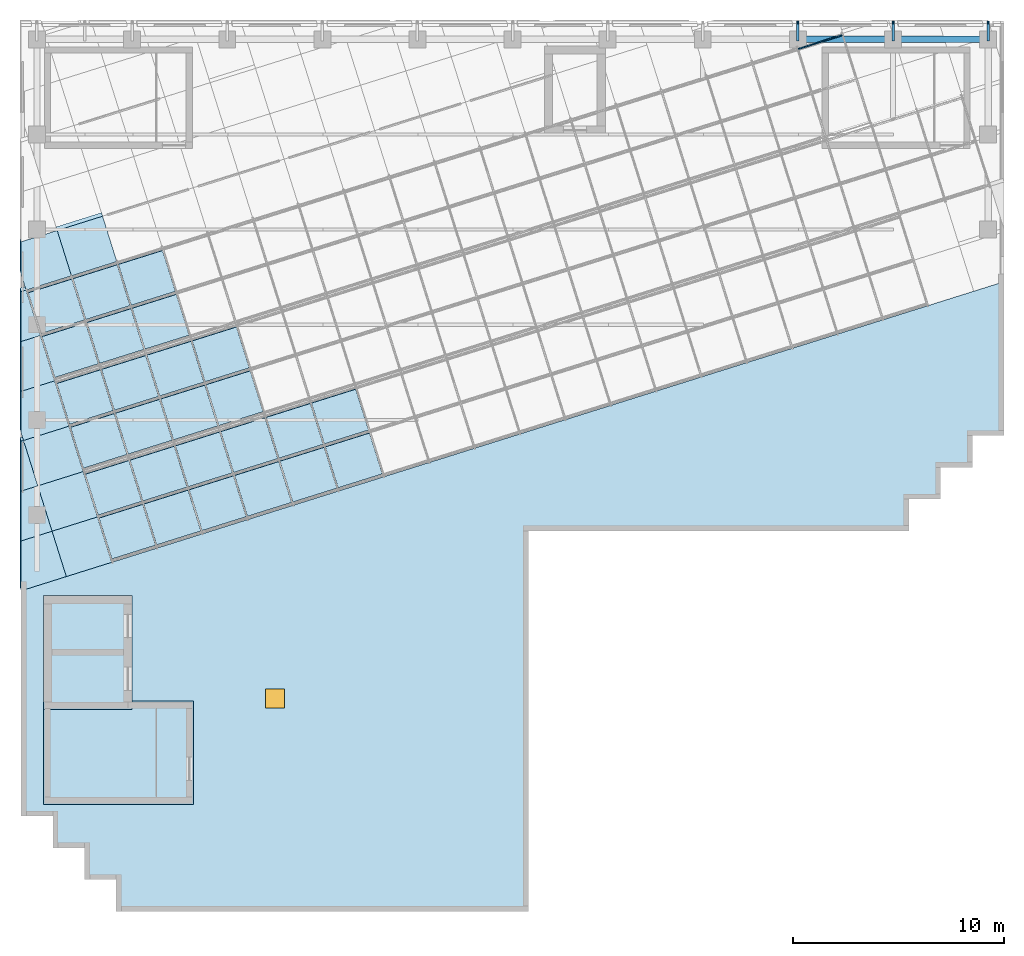
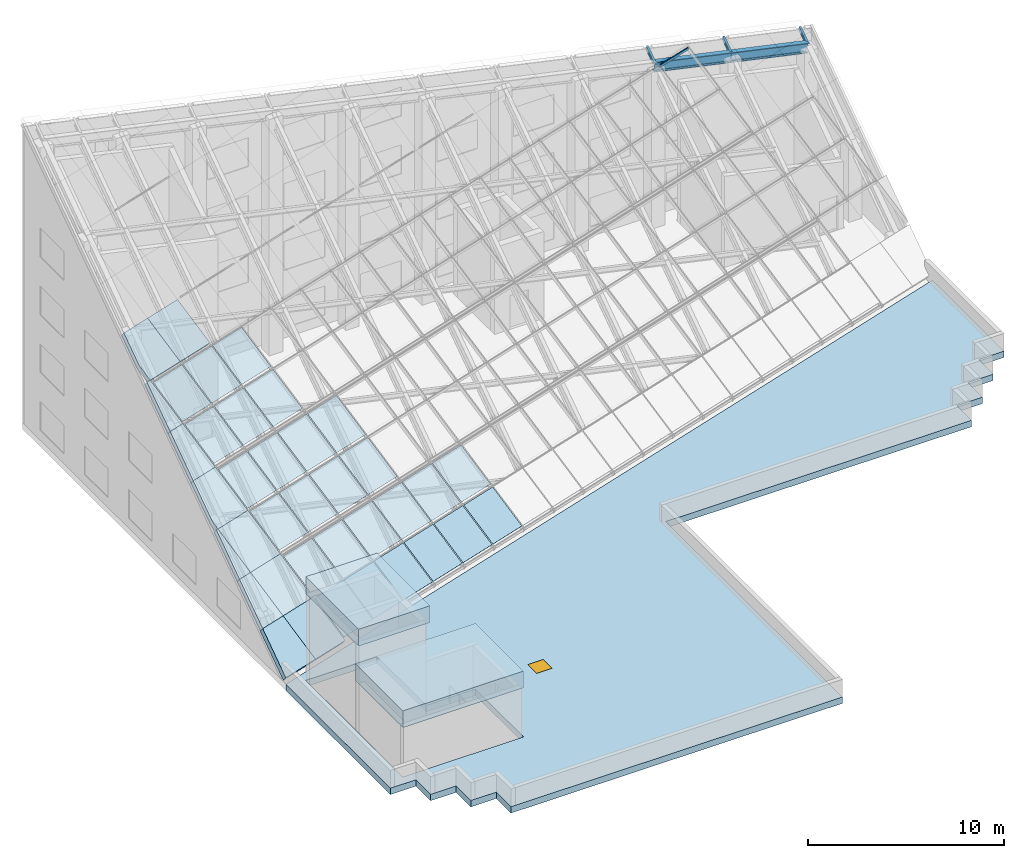
# One storey, part 6 of 14: 26 plates, 14 slabs, 6 members, 1 window, 1 opening, 3 elements without a shape of their own.
"""IFC4 building model written with IfcOpenShell, lengths in metres."""

import ifcopenshell
import ifcopenshell.guid

model = None  # the IFC model being written
_history = None  # IfcOwnerHistory: only IFC2X3 demands one
_inside = {}  # id of a spatial element -> (the spatial element, [elements in it])
_under = {}  # id of a project, library or spatial element -> (it, [spatial elements below it])
_declared = {}  # id of a project -> (the project, [libraries it declares])
_typed = {}  # id of a type object -> (the type object, [elements of that type])
_made_of = {}  # id of a material, layer set ... -> (it, [elements and type objects made of it])


def new_model(schema):
    """Start an empty IFC model of exactly this schema.

    Asked for "IFC4X3", IfcOpenShell would pick the latest addendum, in which some entities
    have other attributes; the version numbers below select the first issue.
    IFC2X3 requires an IfcOwnerHistory on every rooted entity: one is made here for all.
    """
    global model, _history
    if schema == "IFC4X3":
        model = ifcopenshell.file(schema_version=(4, 3, 0, 0))
    else:
        model = ifcopenshell.file(schema=schema)
    _inside.clear()
    _under.clear()
    _declared.clear()
    _typed.clear()
    _made_of.clear()
    _history = None
    if model.schema == "IFC2X3":
        org = make("IfcOrganization", Name="unknown")
        user = make(
            "IfcPersonAndOrganization",
            ThePerson=make("IfcPerson", FamilyName="unknown"),
            TheOrganization=org,
        )
        app = make(
            "IfcApplication",
            ApplicationDeveloper=org,
            Version="unknown",
            ApplicationFullName="unknown",
            ApplicationIdentifier="unknown",
        )
        _history = make(
            "IfcOwnerHistory",
            OwningUser=user,
            OwningApplication=app,
            ChangeAction="ADDED",
            CreationDate=0,
        )
    return model


def make(cls, **values):
    """One entity of the class cls with the attributes given. An attribute that is None is left unset."""
    return model.create_entity(
        cls, **{name: value for name, value in values.items() if value is not None}
    )


def rooted(cls, **values):
    """An entity with a GlobalId (a new one), such as an element, a storey or a relation."""
    return make(cls, GlobalId=ifcopenshell.guid.new(), OwnerHistory=_history, **values)


def si_unit(unit_type, name, prefix=None):
    """IfcSIUnit, for example si_unit("LENGTHUNIT", "METRE", prefix="MILLI")."""
    return make("IfcSIUnit", UnitType=unit_type, Prefix=prefix, Name=name)


def assignment(units):
    """IfcUnitAssignment: the units of a project."""
    return None if units is None else make("IfcUnitAssignment", Units=units)


def point(xyz):
    """IfcCartesianPoint."""
    return None if xyz is None else make("IfcCartesianPoint", Coordinates=xyz)


def direction(xyz):
    """IfcDirection."""
    return None if xyz is None else make("IfcDirection", DirectionRatios=xyz)


def frame(location, z_axis=None, x_axis=None):
    """IfcAxis2Placement3D, a coordinate frame: its origin and axes. An axis left out is left unset."""
    return make(
        "IfcAxis2Placement3D",
        Location=point(location),
        Axis=direction(z_axis),
        RefDirection=direction(x_axis),
    )


def frame_2d(location, x_axis=None):
    """IfcAxis2Placement2D, a coordinate frame in the plane: its origin and x axis."""
    return make(
        "IfcAxis2Placement2D", Location=point(location), RefDirection=direction(x_axis)
    )


def origin():
    """The frame at (0, 0, 0) with its axes left unset."""
    return frame((0.0, 0.0, 0.0))


def origin_2d():
    """The frame at (0, 0) in the plane with its x axis left unset."""
    return frame_2d((0.0, 0.0))


def place(relative_to, where):
    """IfcLocalPlacement: puts the frame where relative to a parent placement (None: the world)."""
    return make(
        "IfcLocalPlacement", PlacementRelTo=relative_to, RelativePlacement=where
    )


def context(
    kind, dimensions, precision=None, world=None, true_north=None, identifier=None
):
    """IfcGeometricRepresentationContext, for example the 3D "Model" context."""
    return make(
        "IfcGeometricRepresentationContext",
        ContextIdentifier=identifier,
        ContextType=kind,
        CoordinateSpaceDimension=dimensions,
        Precision=precision,
        WorldCoordinateSystem=world,
        TrueNorth=true_north,
    )


def subcontext(parent, identifier, kind, view, scale=None):
    """IfcGeometricRepresentationSubContext, for example "Body" below "Model"."""
    return make(
        "IfcGeometricRepresentationSubContext",
        ContextIdentifier=identifier,
        ContextType=kind,
        ParentContext=parent,
        TargetScale=scale,
        TargetView=view,
    )


def project(units=None, contexts=None):
    """IfcProject with its units and contexts."""
    return rooted(
        "IfcProject",
        Name="project",
        RepresentationContexts=contexts,
        UnitsInContext=assignment(units),
    )


def spatial(cls, under=None, at=None, **own):
    """A site, building, storey or space (cls), placed at a placement, below another one or the project."""
    s = rooted(cls, ObjectPlacement=at, **own)
    if under is not None:
        _under.setdefault(under.id(), (under, []))[1].append(s)
    return s


def polyline(points):
    """IfcPolyline through the points."""
    return make("IfcPolyline", Points=[point(p) for p in points])


def profile(cls, at=None, kind="AREA", **sizes):
    """A parametric profile (cls). Its sizes go by their IFC names, for example OverallWidth=200.0."""
    return make(cls, ProfileType=kind, Position=at, **sizes)


def rectangle(**sizes):
    """IfcRectangleProfileDef."""
    return profile("IfcRectangleProfileDef", **sizes)


def i_section(**sizes):
    """IfcIShapeProfileDef."""
    return profile("IfcIShapeProfileDef", **sizes)


def outline(outer, holes=None, kind="AREA"):
    """IfcArbitraryClosedProfileDef: a profile drawn as a closed curve; with holes, ...WithVoids."""
    if holes is None:
        return make("IfcArbitraryClosedProfileDef", ProfileType=kind, OuterCurve=outer)
    return make(
        "IfcArbitraryProfileDefWithVoids",
        ProfileType=kind,
        OuterCurve=outer,
        InnerCurves=holes,
    )


def extrude(swept, where, along, depth):
    """IfcExtrudedAreaSolid: the profile swept, set in the frame where, extruded along a direction by depth."""
    return make(
        "IfcExtrudedAreaSolid",
        SweptArea=swept,
        Position=where,
        ExtrudedDirection=direction(along),
        Depth=depth,
    )


def shape(context_of_items, identifier, shape_type, items):
    """IfcShapeRepresentation: the items that make up one representation, for example the "Body"."""
    return make(
        "IfcShapeRepresentation",
        ContextOfItems=context_of_items,
        RepresentationIdentifier=identifier,
        RepresentationType=shape_type,
        Items=items,
    )


def material(Name=None, Category=None):
    """IfcMaterial."""
    return make("IfcMaterial", Name=Name, Category=Category)


def layer(
    of_material, thickness, ventilated=None, Name=None, Category=None, Priority=None
):
    """IfcMaterialLayer: one layer of a wall or slab, of a material (None: an air gap)."""
    return make(
        "IfcMaterialLayer",
        Material=of_material,
        LayerThickness=thickness,
        IsVentilated=ventilated,
        Name=Name,
        Category=Category,
        Priority=Priority,
    )


def layer_set(layers, Name=None):
    """IfcMaterialLayerSet."""
    return make("IfcMaterialLayerSet", MaterialLayers=layers, LayerSetName=Name)


def material_profile(
    of_material, cross_section, Name=None, Category=None, Priority=None
):
    """IfcMaterialProfile: a cross section and its material."""
    return make(
        "IfcMaterialProfile",
        Name=Name,
        Material=of_material,
        Profile=cross_section,
        Priority=Priority,
        Category=Category,
    )


def profile_set(profiles, Name=None, composite=None):
    """IfcMaterialProfileSet."""
    return make(
        "IfcMaterialProfileSet",
        Name=Name,
        MaterialProfiles=profiles,
        CompositeProfile=composite,
    )


def made_of(thing, what):
    """Note that an element or type object is made of a material, layer set ...; save() writes the relation."""
    if what is not None:
        _made_of.setdefault(what.id(), (what, []))[1].append(thing)
    return thing


def type_object(cls, material=None, **own):
    """A type object (cls), such as IfcWallType, which elements share."""
    return made_of(rooted(cls, **own), material)


def element(
    cls,
    number,
    at=None,
    inside=None,
    cuts=None,
    type_object=None,
    material=None,
    context=None,
    identifier="Body",
    shape_type=None,
    held_by="IfcProductDefinitionShape",
    body=None,
    shapes=None,
    **own,
):
    """One element of the class cls, such as IfcWall. Its Tag is "e" and its number.

    at: its placement. inside: the storey or other place that contains it. cuts: it is an
    opening in that element (IfcRelVoidsElement). A single representation is given by context,
    identifier, shape_type and body (its items); several are given by shapes. held_by: the class
    of the entity that holds the representations. save() writes the other relations.
    """
    e = rooted(cls, Tag="e%d" % number, ObjectPlacement=at, **own)
    if body is not None:
        shapes = [shape(context, identifier, shape_type, body)]
    if shapes is not None:
        e.Representation = make(held_by, Representations=shapes)
    if inside is not None:
        _inside.setdefault(inside.id(), (inside, []))[1].append(e)
    if cuts is not None:
        rooted(
            "IfcRelVoidsElement", RelatingBuildingElement=cuts, RelatedOpeningElement=e
        )
    if type_object is not None:
        _typed.setdefault(type_object.id(), (type_object, []))[1].append(e)
    return made_of(e, material)


def fill(opening, filler):
    """IfcRelFillsElement: the door or window that sits in an opening."""
    return rooted(
        "IfcRelFillsElement",
        RelatingOpeningElement=opening,
        RelatedBuildingElement=filler,
    )


def aggregate(whole, parts):
    """IfcRelAggregates: a whole, such as a stair, and the parts it consists of."""
    return rooted("IfcRelAggregates", RelatingObject=whole, RelatedObjects=parts)


def save(model, path):
    """Write the relations noted so far, then the file.

    IfcRelAggregates (storeys below a building ...), IfcRelContainedInSpatialStructure (elements
    in a storey), IfcRelDefinesByType, IfcRelAssociatesMaterial and IfcRelDeclares: one each for
    every whole, place, type object, material and project.
    """
    for whole, parts in _under.values():
        aggregate(whole, parts)
    for where, things in _inside.values():
        rooted(
            "IfcRelContainedInSpatialStructure",
            RelatedElements=things,
            RelatingStructure=where,
        )
    for kind, things in _typed.values():
        rooted("IfcRelDefinesByType", RelatedObjects=things, RelatingType=kind)
    for what, things in _made_of.values():
        rooted("IfcRelAssociatesMaterial", RelatedObjects=things, RelatingMaterial=what)
    for by, libraries in _declared.values():
        rooted("IfcRelDeclares", RelatingContext=by, RelatedDefinitions=libraries)
    model.write(path)


model = new_model("IFC4")

# Units and contexts
model_context = context("Model", 3, precision=1e-05, world=origin(), true_north=direction((0.0, 1.0)))
body_context = subcontext(model_context, "Body", "Model", "MODEL_VIEW")
ifc_project = project(units=[si_unit("LENGTHUNIT", "METRE"), si_unit("AREAUNIT", "SQUARE_METRE"), si_unit("VOLUMEUNIT", "CUBIC_METRE"), si_unit("PLANEANGLEUNIT", "RADIAN"), si_unit("MASSUNIT", "GRAM", prefix="KILO")], contexts=[model_context])

# Site, building, storey
site_placement = place(None, origin())
site = spatial("IfcSite", under=ifc_project, at=site_placement, CompositionType="ELEMENT")
building_placement = place(site_placement, origin())
building = spatial("IfcBuilding", under=site, at=building_placement, Name="Firuza Court", CompositionType="ELEMENT")
storey_placement = place(building_placement, frame((0.0, 0.0, 266.199951171875)))
storey = spatial("IfcBuildingStorey", under=building, at=storey_placement, Name="L68 Crown", CompositionType="ELEMENT", Elevation=266.199951171875)

# Members
ifc_material_1 = material(Name="Steel S355", Category="steel")
ifc_material_profile_1 = material_profile(ifc_material_1, i_section(OverallWidth=0.1201171875, OverallDepth=0.239990234375, WebThickness=0.006103515625, FlangeThickness=0.009765625, FilletRadius=0.014892578125, at=origin_2d()), Name="IPE 240")
ifc_profile_set_1 = profile_set([ifc_material_profile_1], Name="Steel S355")
member_type_1 = type_object("IfcMemberType", Name="Crown eave bracket IPE 240 S355", PredefinedType="MEMBER", material=ifc_profile_set_1)
for number, where, z_axis, x_axis, name in (
    (1, (36.0, 58.5, 9.953857421875), (0.0, 0.82192121819, 0.569601185996), (-1.0, 0.0, 0.0), "Crown frame eave bracket"),
    (2, (40.5, 58.5, 8.972900390625), (0.0, 0.82192121819, 0.569601185996), (-1.0, 0.0, 0.0), "Crown frame eave bracket"),
    (3, (45.0, 58.5, 7.9921875), (0.0, 0.82192121819, 0.569601185996), (-1.0, 0.0, 0.0), "Crown frame eave bracket"),
):
    element("IfcMember", number, at=place(storey_placement, frame(where, z_axis=z_axis, x_axis=x_axis)), inside=storey, type_object=member_type_1, Name=name, PredefinedType="MEMBER", context=body_context, shape_type="SweptSolid", body=[
        extrude(i_section(OverallWidth=0.1201171875, OverallDepth=0.239990234375, WebThickness=0.006103515625, FlangeThickness=0.009765625, FilletRadius=0.014892578125, at=origin_2d()), origin(), (0.0, 0.0, 1.0), 0.973388671875),
    ])
ifc_material_2 = material(Name="Steel S355", Category="steel")
ifc_material_profile_2 = material_profile(ifc_material_2, i_section(OverallWidth=0.300048828125, OverallDepth=0.60009765625, WebThickness=0.015380859375, FlangeThickness=0.030029296875, FilletRadius=0.027099609375, at=origin_2d()), Name="HE 600 B")
ifc_profile_set_2 = profile_set([ifc_material_profile_2], Name="Steel S355")
member_type_2 = type_object("IfcMemberType", Name="Crown ring beam HE 600 B S355", PredefinedType="MEMBER", material=ifc_profile_set_2)
for number, where, z_axis, x_axis, name in (
    (4, (45.0, 58.5, 7.8310546875), (-0.977054686112, 0.0, 0.212988592057), (0.0, -1.0, 0.0), "Crown frame ring beam"),
    (5, (40.5, 58.5, 8.81201171875), (-0.977065716097, 0.0, 0.212937987281), (0.0, -1.0, 0.0), "Crown frame ring beam"),
):
    element("IfcMember", number, at=place(storey_placement, frame(where, z_axis=z_axis, x_axis=x_axis)), inside=storey, type_object=member_type_2, Name=name, PredefinedType="MEMBER", context=body_context, shape_type="SweptSolid", body=[
        extrude(i_section(OverallWidth=0.300048828125, OverallDepth=0.60009765625, WebThickness=0.015380859375, FlangeThickness=0.030029296875, FilletRadius=0.027099609375, at=origin_2d()), origin(), (0.0, 0.0, 1.0), 4.605712890625),
    ])

# Curtain wall, member
ifc_material_3 = material(Name="Aluminium curtain wall, triple clear glazing", Category="aluminium")
curtain_wall_type = type_object("IfcCurtainWallType", Name="Crown sloped structural glazing CW5", PredefinedType="NOTDEFINED", material=ifc_material_3)
curtain_wall_1_placement = place(storey_placement, origin())
curtain_wall_1 = element("IfcCurtainWall", 6, at=curtain_wall_1_placement, inside=storey, type_object=curtain_wall_type, Name="Crown sloped structural glazing CW5 3.1", PredefinedType="NOTDEFINED")
ifc_material_4 = material(Name="Aluminium EN AW-6060 T66", Category="aluminium")
ifc_material_profile_3 = material_profile(ifc_material_4, rectangle(XDim=0.06005859375, YDim=0.14990234375, at=origin_2d()), Name="Transom 150 x 60 CW5")
ifc_profile_set_3 = profile_set([ifc_material_profile_3], Name="Aluminium EN AW-6060 T66")
member_type_3 = type_object("IfcMemberType", Name="Transom 150 x 60 CW5", PredefinedType="USERDEFINED", material=ifc_profile_set_3)
member_placement = place(storey_placement, frame((38.08544921875, 58.698974609375, 10.01806640625), z_axis=(-0.953915172588, -0.300076396116, 0.0), x_axis=(0.300076396116, -0.953915172588, 0.0)))
member = element("IfcMember", 7, at=member_placement, type_object=member_type_3, Name="CW5 transom 3.1", ObjectType="TRANSOM", PredefinedType="USERDEFINED", context=body_context, shape_type="SweptSolid", body=[
    extrude(rectangle(XDim=0.06005859375, YDim=0.14990234375, at=origin_2d()), origin(), (0.0, 0.0, 1.0), 2.16015625),
])

# Slabs
ifc_material_5 = material(Name="Ceramic tile", Category="ceramic")
ifc_layer_1 = layer(ifc_material_5, 0.02001953125)
ifc_material_6 = material(Name="Mineral wool insulation", Category="insulation")
ifc_layer_2 = layer(ifc_material_6, 0.159912109375)
ifc_material_7 = material(Name="Concrete C40/50 precast", Category="concrete")
ifc_layer_3 = layer(ifc_material_7, 0.1201171875)
ifc_layer_set_1 = layer_set([ifc_layer_1, ifc_layer_2, ifc_layer_3], Name="Concrete C40/50 precast")
slab_type_1 = type_object("IfcSlabType", Name="Crown roof panel 300", PredefinedType="ROOF", material=ifc_layer_set_1)
slab_1_placement = place(storey_placement, frame((0.7138671875, 35.232421875, 2.03466796875), z_axis=(0.17631258531, -0.560667005774, 0.809052767684), x_axis=(0.953953761207, 0.299953697881, -2.4611798e-05)))
element("IfcSlab", 8, at=slab_1_placement, inside=storey, type_object=slab_type_1, Name="Crown roof panel", PredefinedType="ROOF", context=body_context, shape_type="SweptSolid", body=[
    extrude(outline(polyline([(0.0, 0.0), (2.2498241053997727, 0.0), (2.250057007658711, -2.7809528021810874), (0.00015967137566726917, -2.781141230713831), (0.0, 0.0)])), origin(), (0.0, 0.0, -1.0), 0.300048828125),
])
slab_2_placement = place(storey_placement, frame((0.7138671875, 35.232421875, 2.03466796875), z_axis=(0.176322574119, -0.560730660289, 0.809006474923), x_axis=(-0.242730573016, 0.771733986836, 0.587799729913)))
element("IfcSlab", 9, at=slab_2_placement, inside=storey, type_object=slab_type_1, Name="Crown roof panel", PredefinedType="ROOF", context=body_context, shape_type="SweptSolid", body=[
    extrude(outline(polyline([(0.0, 0.0), (2.7810963144923067, -6.7166324585477e-17), (2.7810370556165873, -2.250130237732591), (-0.00018841009979719825, -2.249824098062274), (0.0, 0.0)])), origin(), (0.0, 0.0, -1.0), 0.300048828125),
])
slab_3_placement = place(storey_placement, frame((-0.75, 32.413330078125, 0.400146484375), z_axis=(0.176322750028, -0.56065391557, 0.809059623748), x_axis=(-2.650718e-06, 0.821937133873, 0.569578219347)))
element("IfcSlab", 10, at=slab_3_placement, inside=storey, type_object=slab_type_1, Name="Crown roof panel", PredefinedType="ROOF", context=body_context, shape_type="SweptSolid", body=[
    extrude(outline(polyline([(0.0, 0.0), (2.8696437570483404, 0.0), (3.2481001879024074, -1.4871756298655927), (0.5528353468940732, -2.1729554858572797), (0.3331058713593501, -1.3093279956449313), (0.0, 0.0)])), origin(), (0.0, 0.0, -1.0), 0.300048828125),
])
slab_4_placement = place(storey_placement, frame((-0.75, 34.77197265625, 2.03466796875), z_axis=(0.176355197989, -0.560726882096, 0.809001982592), x_axis=(1.577307e-06, 0.821883860273, 0.569655088821)))
element("IfcSlab", 11, at=slab_4_placement, inside=storey, type_object=slab_type_1, Name="Crown roof panel", PredefinedType="ROOF", context=body_context, shape_type="SweptSolid", body=[
    extrude(outline(polyline([(0.0, 0.0), (2.8697828244253936, 2.7755575615628914e-17), (3.073649791787913, -0.8013737675042408), (0.3784380903341683, -1.487180297345306), (0.0, 0.0)])), origin(), (0.0, 0.0, -1.0), 0.300048828125),
])
slab_5_placement = place(storey_placement, frame((0.038818359375, 37.378662109375, 3.66943359375), z_axis=(0.176357568193, -0.560740528308, 0.808992007411), x_axis=(-0.242646346778, 0.771745307838, 0.587819640897)))
element("IfcSlab", 12, at=slab_5_placement, inside=storey, type_object=slab_type_1, Name="Crown roof panel", PredefinedType="ROOF", context=body_context, shape_type="SweptSolid", body=[
    extrude(outline(polyline([(0.0, 0.0), (2.781037065222291, 2.336455681706262e-17), (2.7812254787109962, -2.249897337222277), (0.00012917365794862246, -2.250130235191463), (0.0, 0.0)])), origin(), (0.0, 0.0, -1.0), 0.300048828125),
])
slab_6_placement = place(storey_placement, frame((-0.635986328125, 39.52490234375, 5.30419921875), z_axis=(0.176331567477, -0.560692792827, 0.80903075985), x_axis=(-0.242852903124, 0.771720963441, 0.587766298821)))
element("IfcSlab", 13, at=slab_6_placement, inside=storey, type_object=slab_type_1, Name="Crown roof panel", PredefinedType="ROOF", context=body_context, shape_type="SweptSolid", body=[
    extrude(outline(polyline([(0.0, 0.0), (0.4694389973567571, 9.703609443745265e-18), (2.781254982863155, -0.5885562095992881), (2.781013358684663, -2.2503060052475017), (-0.000271339708330931, -2.249897328400347), (0.0, 0.0)])), origin(), (0.0, 0.0, -1.0), 0.300048828125),
])
slab_7_placement = place(storey_placement, frame((-0.75, 37.130615234375, 3.66943359375), z_axis=(0.176205430044, -0.560763924531, 0.809008941464), x_axis=(6.242003e-06, 0.821869011027, 0.569676512307)))
element("IfcSlab", 14, at=slab_7_placement, inside=storey, type_object=slab_type_1, Name="Crown roof panel", PredefinedType="ROOF", context=body_context, shape_type="SweptSolid", body=[
    extrude(outline(polyline([(0.0, 0.0), (2.869782822739529, 2.7755575615628914e-17), (2.8990786700602085, -0.11580756873921072), (0.2038669636514241, -0.8013737624111189), (0.0, 0.0)])), origin(), (0.0, 0.0, -1.0), 0.300048828125),
])
slab_8_placement = place(storey_placement, frame((-0.75, 41.847900390625, 6.93896484375), z_axis=(0.176308674906, -0.560742773766, 0.809001108048), x_axis=(3.967525e-06, 0.821876256988, 0.569666058479)))
element("IfcSlab", 15, at=slab_8_placement, inside=storey, type_object=slab_type_1, Name="Crown roof panel", PredefinedType="ROOF", context=body_context, shape_type="SweptSolid", body=[
    extrude(outline(polyline([(0.0, 0.0), (2.869782823813549, 0.0), (3.1049522007892074, -0.9248763255709787), (0.40974049753714986, -1.6104425361489896), (0.0, 0.0)])), origin(), (0.0, 0.0, -1.0), 0.300048828125),
])
slab_9_placement = place(storey_placement, frame((-0.75, 44.20654296875, 8.57373046875), z_axis=(0.176219334424, -0.560676160307, 0.809066739793), x_axis=(-1.41499e-07, 0.821929155492, 0.569589732484)))
element("IfcSlab", 16, at=slab_9_placement, inside=storey, type_object=slab_type_1, Name="Crown roof panel", PredefinedType="ROOF", context=body_context, shape_type="SweptSolid", body=[
    extrude(outline(polyline([(0.0, 0.0), (2.8696437573716866, 2.7755575615628914e-17), (2.9304456122810763, -0.23909357004663093), (0.23518077211576136, -0.9248734302925117), (0.0, 0.0)])), origin(), (0.0, 0.0, -1.0), 0.300048828125),
])
slab_10_placement = place(storey_placement, frame((1.6318359375, 47.314208984375, 10.208251953125), z_axis=(0.176322574119, -0.560730660289, 0.809006474923), x_axis=(-0.242730573016, 0.771733986836, 0.587799729913)))
element("IfcSlab", 17, at=slab_10_placement, inside=storey, type_object=slab_type_1, Name="Crown roof panel", PredefinedType="ROOF", context=body_context, shape_type="SweptSolid", body=[
    extrude(outline(polyline([(0.0, 0.0), (2.7810963144923067, -6.7166324585477e-17), (2.7810370556165873, -2.250130237732591), (-0.00018841009979719825, -2.249824098062274), (0.0, 0.0)])), origin(), (0.0, 0.0, -1.0), 0.300048828125),
])
slab_11_placement = place(storey_placement, frame((-0.5146484375, 46.63916015625, 10.208251953125), z_axis=(0.176391644919, -0.560737007382, 0.808987018533), x_axis=(-0.242647466831, 0.771739727815, 0.587826504466)))
element("IfcSlab", 18, at=slab_11_placement, inside=storey, type_object=slab_type_1, Name="Crown roof panel", PredefinedType="ROOF", context=body_context, shape_type="SweptSolid", body=[
    extrude(outline(polyline([(0.0, 0.0), (0.9700265815278509, -1.2793585635328952e-17), (2.781046646751493, -0.46067426767871444), (2.7812193080925125, -2.2499049644526896), (0.0001230026939174067, -2.2501302335473197), (0.0, 0.0)])), origin(), (0.0, 0.0, -1.0), 0.300048828125),
])

# Curtain wall, plates
curtain_wall_2_placement = place(storey_placement, origin())
curtain_wall_2 = element("IfcCurtainWall", 19, at=curtain_wall_2_placement, inside=storey, type_object=curtain_wall_type, Name="Crown sloped structural glazing CW5 1.1", PredefinedType="NOTDEFINED")
ifc_material_8 = material(Name="Triple clear glazing", Category="glass")
ifc_layer_4 = layer(ifc_material_8, 0.031982421875)
ifc_layer_set_2 = layer_set([ifc_layer_4], Name="Triple clear glazing")
plate_type = type_object("IfcPlateType", Name="Glazed panel 32 CW5", PredefinedType="CURTAIN_PANEL", material=ifc_layer_set_2)
plate_1_placement = place(storey_placement, frame((16.33984375, 37.944580078125, 0.509033203125), z_axis=(0.176313450423, -0.560684634708, 0.809040362159), x_axis=(-0.953949159313, -0.299968333968, 7.950224e-06)))
plate_1 = element("IfcPlate", 20, at=plate_1_placement, type_object=plate_type, Name="CW5 panel 1.13", PredefinedType="CURTAIN_PANEL", context=body_context, shape_type="SweptSolid", body=[
    extrude(outline(polyline([(0.0, 0.0), (2.190212815455395, 1.1102230246251565e-16), (2.1899369464546297, -2.5030476675508284), (-4.2971256792986864e-05, -2.5031069160937927), (0.0, 0.0)])), origin(), (0.0, 0.0, -1.0), 0.031982421875),
])
plate_2_placement = place(storey_placement, frame((14.193359375, 37.269775390625, 0.509033203125), z_axis=(0.176334012168, -0.560717258312, 0.809013270833), x_axis=(-0.953940860537, -0.299994724285, 0.0)))
plate_2 = element("IfcPlate", 21, at=plate_2_placement, type_object=plate_type, Name="CW5 panel 1.14", PredefinedType="CURTAIN_PANEL", context=body_context, shape_type="SweptSolid", body=[
    extrude(outline(polyline([(0.0, 0.0), (2.189979918618649, -1.1102230246251565e-16), (2.189942468050945, -2.502918494637853), (-3.7450567703245235e-05, -2.502918494637853), (0.0, 0.0)])), origin(), (0.0, 0.0, -1.0), 0.031982421875),
])
plate_3_placement = place(storey_placement, frame((12.047119140625, 36.5947265625, 0.509033203125), z_axis=(0.176309276885, -0.56067136267, 0.809050469356), x_axis=(-0.95394259327, -0.299989214276, -7.950981e-06)))
plate_3 = element("IfcPlate", 22, at=plate_3_placement, type_object=plate_type, Name="CW5 panel 1.15", PredefinedType="CURTAIN_PANEL", context=body_context, shape_type="SweptSolid", body=[
    extrude(outline(polyline([(0.0, 0.0), (2.189979918512894, 0.0), (2.190102122975127, -2.503166169599263), (-0.00011069167870183733, -2.5031069140151567), (0.0, 0.0)])), origin(), (0.0, 0.0, -1.0), 0.031982421875),
])
plate_4_placement = place(storey_placement, frame((9.900634765625, 35.919921875, 0.509033203125), z_axis=(0.176334012168, -0.560717258312, 0.809013270833), x_axis=(-0.953940860537, -0.299994724285, 0.0)))
plate_4 = element("IfcPlate", 23, at=plate_4_placement, type_object=plate_type, Name="CW5 panel 1.16", PredefinedType="CURTAIN_PANEL", context=body_context, shape_type="SweptSolid", body=[
    extrude(outline(polyline([(0.0, 0.0), (2.189979918618649, -1.1102230246251565e-16), (2.189942468050945, -2.502918494637853), (-3.7450567703245235e-05, -2.502918494637853), (0.0, 0.0)])), origin(), (0.0, 0.0, -1.0), 0.031982421875),
])
plate_5_placement = place(storey_placement, frame((7.75439453125, 35.244873046875, 0.509033203125), z_axis=(0.176322549427, -0.560713569944, 0.80901832553), x_axis=(-0.953949159134, -0.299968334537, 7.950418e-06)))
plate_5 = element("IfcPlate", 24, at=plate_5_placement, type_object=plate_type, Name="CW5 panel 1.17", PredefinedType="CURTAIN_PANEL", context=body_context, shape_type="SweptSolid", body=[
    extrude(outline(polyline([(0.0, 0.0), (2.1902128154553844, 0.0), (2.1902430777330015, -2.5029184946425405), (0.00026316002154626864, -2.502977741571694), (0.0, 0.0)])), origin(), (0.0, 0.0, -1.0), 0.031982421875),
])
plate_6_placement = place(storey_placement, frame((5.60791015625, 34.56982421875, 0.509033203125), z_axis=(0.176308290618, -0.560678964889, 0.809045415901), x_axis=(-0.953947520719, -0.299973545022, 0.0)))
plate_6 = element("IfcPlate", 25, at=plate_6_placement, type_object=plate_type, Name="CW5 panel 1.18", PredefinedType="CURTAIN_PANEL", context=body_context, shape_type="SweptSolid", body=[
    extrude(outline(polyline([(0.0, 0.0), (2.1600212068752938, 0.0), (2.1599554768429208, -2.503106915692155), (-6.573003237331232e-05, -2.503106915692155), (0.0, 0.0)])), origin(), (0.0, 0.0, -1.0), 0.031982421875),
])
plate_7_placement = place(storey_placement, frame((15.687255859375, 40.01953125, 2.08935546875), z_axis=(0.17635718883, -0.560686778681, 0.809029343201), x_axis=(-0.95393534933, -0.300012247516, 2.5284508e-05)))
plate_7 = element("IfcPlate", 26, at=plate_7_placement, type_object=plate_type, Name="CW5 panel 2.13", PredefinedType="CURTAIN_PANEL", context=body_context, shape_type="SweptSolid", body=[
    extrude(outline(polyline([(0.0, 0.0), (2.1899799175491244, -1.1102230246251565e-16), (2.1899424691204508, -2.5029184937020825), (-0.00011069360628924147, -2.503106913171865), (0.0, 0.0)])), origin(), (0.0, 0.0, -1.0), 0.031982421875),
])
plate_8_placement = place(storey_placement, frame((13.541015625, 39.344482421875, 2.08935546875), z_axis=(0.176309276885, -0.56067136267, 0.809050469356), x_axis=(-0.95394259327, -0.299989214276, -7.950981e-06)))
plate_8 = element("IfcPlate", 27, at=plate_8_placement, type_object=plate_type, Name="CW5 panel 2.14", PredefinedType="CURTAIN_PANEL", context=body_context, shape_type="SweptSolid", body=[
    extrude(outline(polyline([(0.0, 0.0), (2.189979918512894, 0.0), (2.190102122975127, -2.503166169599263), (-0.00011069167870183733, -2.5031069140151567), (0.0, 0.0)])), origin(), (0.0, 0.0, -1.0), 0.031982421875),
])
plate_9_placement = place(storey_placement, frame((11.39453125, 38.669677734375, 2.08935546875), z_axis=(0.176334012168, -0.560717258312, 0.809013270833), x_axis=(-0.953940860537, -0.299994724285, 0.0)))
plate_9 = element("IfcPlate", 28, at=plate_9_placement, type_object=plate_type, Name="CW5 panel 2.15", PredefinedType="CURTAIN_PANEL", context=body_context, shape_type="SweptSolid", body=[
    extrude(outline(polyline([(0.0, 0.0), (2.189979918618649, -1.1102230246251565e-16), (2.189942468050945, -2.502918494637853), (-3.7450567703245235e-05, -2.502918494637853), (0.0, 0.0)])), origin(), (0.0, 0.0, -1.0), 0.031982421875),
])
plate_10_placement = place(storey_placement, frame((9.248291015625, 37.99462890625, 2.08935546875), z_axis=(0.176353013278, -0.560673503482, 0.809039453427), x_axis=(-0.953935349591, -0.300012246686, 2.5284226e-05)))
plate_10 = element("IfcPlate", 29, at=plate_10_placement, type_object=plate_type, Name="CW5 panel 2.16", PredefinedType="CURTAIN_PANEL", context=body_context, shape_type="SweptSolid", body=[
    extrude(outline(polyline([(0.0, 0.0), (2.189979917549175, 0.0), (2.1901753648384186, -2.5029777469318244), (0.00012220211183020487, -2.503166168756235), (0.0, 0.0)])), origin(), (0.0, 0.0, -1.0), 0.031982421875),
])
plate_11_placement = place(storey_placement, frame((7.101806640625, 37.319580078125, 2.08935546875), z_axis=(0.176320738759, -0.560675050747, 0.809045415631), x_axis=(-0.953940860537, -0.299994724285, 0.0)))
plate_11 = element("IfcPlate", 30, at=plate_11_placement, type_object=plate_type, Name="CW5 panel 2.17", PredefinedType="CURTAIN_PANEL", context=body_context, shape_type="SweptSolid", body=[
    extrude(outline(polyline([(0.0, 0.0), (2.189979918618649, 0.0), (2.1898692271514615, -2.503106914107691), (-0.00011069146718678535, -2.5031069141076916), (0.0, 0.0)])), origin(), (0.0, 0.0, -1.0), 0.031982421875),
])
plate_12_placement = place(storey_placement, frame((4.955322265625, 36.644775390625, 2.08935546875), z_axis=(0.176340576488, -0.560715194041, 0.809013270753), x_axis=(-0.953937348442, -0.300005892021, 0.0)))
plate_12 = element("IfcPlate", 31, at=plate_12_placement, type_object=plate_type, Name="CW5 panel 2.18", PredefinedType="CURTAIN_PANEL", context=body_context, shape_type="SweptSolid", body=[
    extrude(outline(polyline([(0.0, 0.0), (2.1597883107730342, 0.0), (2.1597271548291097, -2.5029184941708964), (-6.11559439245621e-05, -2.502918494170897), (0.0, 0.0)])), origin(), (0.0, 0.0, -1.0), 0.031982421875),
])
aggregate(curtain_wall_2, [plate_1, plate_2, plate_3, plate_4, plate_5, plate_6, plate_7, plate_8, plate_9, plate_10, plate_11, plate_12])

curtain_wall_3_placement = place(storey_placement, origin())
curtain_wall_3 = element("IfcCurtainWall", 32, at=curtain_wall_3_placement, inside=storey, type_object=curtain_wall_type, Name="Crown sloped structural glazing CW5 2.1", PredefinedType="NOTDEFINED")
plate_13_placement = place(storey_placement, frame((10.697021484375, 40.887451171875, 3.778564453125), z_axis=(0.176297560559, -0.560705528974, 0.809029344288), x_axis=(-0.953967249752, -0.299910796341, 2.5286199e-05)))
plate_13 = element("IfcPlate", 33, at=plate_13_placement, type_object=plate_type, Name="CW5 panel 1.17", PredefinedType="CURTAIN_PANEL", context=body_context, shape_type="SweptSolid", body=[
    extrude(outline(polyline([(0.0, 0.0), (2.1899066890337173, -1.1102230246251565e-16), (2.1900845873181463, -2.5029184876599904), (0.00010467787516601404, -2.503106913430604), (0.0, 0.0)])), origin(), (0.0, 0.0, -1.0), 0.031982421875),
])
plate_14_placement = place(storey_placement, frame((8.55078125, 40.212646484375, 3.778564453125), z_axis=(0.176322549427, -0.560713569944, 0.80901832553), x_axis=(-0.953942593531, -0.299989213446, -7.951263e-06)))
plate_14 = element("IfcPlate", 34, at=plate_14_placement, type_object=plate_type, Name="CW5 panel 1.18", PredefinedType="CURTAIN_PANEL", context=body_context, shape_type="SweptSolid", body=[
    extrude(outline(polyline([(0.0, 0.0), (2.189979918512878, -1.1102230246251565e-16), (2.19017536387463, -2.5029777477751662), (-3.745077924669999e-05, -2.5029184945453027), (0.0, 0.0)])), origin(), (0.0, 0.0, -1.0), 0.031982421875),
])
plate_15_placement = place(storey_placement, frame((6.404296875, 39.53759765625, 3.778564453125), z_axis=(0.176320738759, -0.560675050747, 0.809045415631), x_axis=(-0.953940860537, -0.299994724285, 0.0)))
plate_15 = element("IfcPlate", 35, at=plate_15_placement, type_object=plate_type, Name="CW5 panel 1.19", PredefinedType="CURTAIN_PANEL", context=body_context, shape_type="SweptSolid", body=[
    extrude(outline(polyline([(0.0, 0.0), (2.189979918618649, 0.0), (2.1898692271514615, -2.503106914107691), (-0.00011069146718678535, -2.5031069141076916), (0.0, 0.0)])), origin(), (0.0, 0.0, -1.0), 0.031982421875),
])
plate_16_placement = place(storey_placement, frame((4.258056640625, 38.86279296875, 3.778564453125), z_axis=(0.176352573551, -0.560680935953, 0.809034398441), x_axis=(-0.953919003014, -0.30006421876, -1.7571415e-05)))
plate_16 = element("IfcPlate", 36, at=plate_16_placement, type_object=plate_type, Name="CW5 panel 1.20", PredefinedType="CURTAIN_PANEL", context=body_context, shape_type="SweptSolid", body=[
    extrude(outline(polyline([(0.0, 0.0), (2.160094454649863, 1.1102230246251565e-16), (2.159810380212462, -2.503106899995887), (2.2073810102648636e-05, -2.502977754961384), (0.0, 0.0)])), origin(), (0.0, 0.0, -1.0), 0.031982421875),
])
plate_17_placement = place(storey_placement, frame((10.044677734375, 42.96240234375, 5.358642578125), z_axis=(0.176322549427, -0.560713569944, 0.80901832553), x_axis=(-0.953942593531, -0.299989213446, -7.951263e-06)))
plate_17 = element("IfcPlate", 37, at=plate_17_placement, type_object=plate_type, Name="CW5 panel 2.17", PredefinedType="CURTAIN_PANEL", context=body_context, shape_type="SweptSolid", body=[
    extrude(outline(polyline([(0.0, 0.0), (2.189979918512878, -1.1102230246251565e-16), (2.19017536387463, -2.5029777477751662), (-3.745077924669999e-05, -2.5029184945453027), (0.0, 0.0)])), origin(), (0.0, 0.0, -1.0), 0.031982421875),
])
plate_18_placement = place(storey_placement, frame((7.898193359375, 42.287353515625, 5.358642578125), z_axis=(0.176297560559, -0.560705528974, 0.809029344288), x_axis=(-0.953946370996, -0.299977200175, -2.5285354e-05)))
plate_18 = element("IfcPlate", 38, at=plate_18_placement, type_object=plate_type, Name="CW5 panel 2.18", PredefinedType="CURTAIN_PANEL", context=body_context, shape_type="SweptSolid", body=[
    extrude(outline(polyline([(0.0, 0.0), (2.189979917549053, -1.1102230246251565e-16), (2.1898692282210037, -2.503106913171992), (-3.7452706913041525e-05, -2.502918493701956), (0.0, 0.0)])), origin(), (0.0, 0.0, -1.0), 0.031982421875),
])
plate_19_placement = place(storey_placement, frame((5.751953125, 41.6123046875, 5.358642578125), z_axis=(0.176304849001, -0.560695945168, 0.809034398089), x_axis=(-0.953965517299, -0.299916306159, 3.3236814e-05)))
plate_19 = element("IfcPlate", 39, at=plate_19_placement, type_object=plate_type, Name="CW5 panel 2.19", PredefinedType="CURTAIN_PANEL", context=body_context, shape_type="SweptSolid", body=[
    extrude(outline(polyline([(0.0, 0.0), (2.1899066882553555, 0.0), (2.1900845880965716, -2.502918486978859), (0.0003375798244042498, -2.50316614829487), (0.0, 0.0)])), origin(), (0.0, 0.0, -1.0), 0.031982421875),
])
plate_20_placement = place(storey_placement, frame((3.60546875, 40.9375, 5.358642578125), z_axis=(0.176321563182, -0.560721173043, 0.809013270879), x_axis=(-0.953947520719, -0.299973545022, 0.0)))
plate_20 = element("IfcPlate", 40, at=plate_20_placement, type_object=plate_type, Name="CW5 panel 2.20", PredefinedType="CURTAIN_PANEL", context=body_context, shape_type="SweptSolid", body=[
    extrude(outline(polyline([(0.0, 0.0), (2.1600212068752938, 1.1102230246251565e-16), (2.160028712571686, -2.502918494906781), (7.505696391995892e-06, -2.502918494906781), (0.0, 0.0)])), origin(), (0.0, 0.0, -1.0), 0.031982421875),
])
aggregate(curtain_wall_3, [plate_13, plate_14, plate_15, plate_16, plate_17, plate_18, plate_19, plate_20])

# Plate
plate_21_placement = place(storey_placement, frame((7.20068359375, 44.50537109375, 7.0478515625), z_axis=(0.17634130148, -0.560707672284, 0.809018325895), x_axis=(-0.953932559568, -0.300021118811, -7.952955e-06)))
plate_21 = element("IfcPlate", 41, at=plate_21_placement, type_object=plate_type, Name="CW5 panel 1.16", PredefinedType="CURTAIN_PANEL", context=body_context, shape_type="SweptSolid", body=[
    extrude(outline(polyline([(0.0, 0.0), (2.1897470240197907, 0.0), (2.1898747398945417, -2.5029777521474483), (-0.00010517781654959808, -2.502918492615574), (0.0, 0.0)])), origin(), (0.0, 0.0, -1.0), 0.031982421875),
])

plate_22_placement = place(storey_placement, frame((5.054443359375, 43.830322265625, 7.0478515625), z_axis=(0.17635718883, -0.560686778681, 0.809029343201), x_axis=(-0.95393534933, -0.300012247516, 2.5284508e-05)))
plate_22 = element("IfcPlate", 42, at=plate_22_placement, type_object=plate_type, Name="CW5 panel 1.17", PredefinedType="CURTAIN_PANEL", context=body_context, shape_type="SweptSolid", body=[
    extrude(outline(polyline([(0.0, 0.0), (2.1899799175491244, -1.1102230246251565e-16), (2.1899424691204508, -2.5029184937020825), (-0.00011069360628924147, -2.503106913171865), (0.0, 0.0)])), origin(), (0.0, 0.0, -1.0), 0.031982421875),
])

plate_23_placement = place(storey_placement, frame((2.908203125, 43.155517578125, 7.0478515625), z_axis=(0.176333560529, -0.560686915671, 0.809034398543), x_axis=(-0.953929178054, -0.300031869888, -1.7570663e-05)))
plate_23 = element("IfcPlate", 43, at=plate_23_placement, type_object=plate_type, Name="CW5 panel 1.18", PredefinedType="CURTAIN_PANEL", context=body_context, shape_type="SweptSolid", body=[
    extrude(outline(polyline([(0.0, 0.0), (2.160327345338492, 0.0), (2.1601119468427714, -2.5031069068476697), (9.074433824956289e-05, -2.5029777534137136), (0.0, 0.0)])), origin(), (0.0, 0.0, -1.0), 0.031982421875),
])

plate_24_placement = place(storey_placement, frame((6.54833984375, 46.580078125, 8.628173828125), z_axis=(0.176320738759, -0.560675050747, 0.809045415631), x_axis=(-0.953940860537, -0.299994724285, 0.0)))
plate_24 = element("IfcPlate", 44, at=plate_24_placement, type_object=plate_type, Name="CW5 panel 2.16", PredefinedType="CURTAIN_PANEL", context=body_context, shape_type="SweptSolid", body=[
    extrude(outline(polyline([(0.0, 0.0), (2.189979918618649, 0.0), (2.1898692271514615, -2.503106914107691), (-0.00011069146718678535, -2.5031069141076916), (0.0, 0.0)])), origin(), (0.0, 0.0, -1.0), 0.031982421875),
])

plate_25_placement = place(storey_placement, frame((4.402099609375, 45.9052734375, 8.628173828125), z_axis=(0.176322549427, -0.560713569944, 0.80901832553), x_axis=(-0.953949159134, -0.299968334537, 7.950418e-06)))
plate_25 = element("IfcPlate", 45, at=plate_25_placement, type_object=plate_type, Name="CW5 panel 2.17", PredefinedType="CURTAIN_PANEL", context=body_context, shape_type="SweptSolid", body=[
    extrude(outline(polyline([(0.0, 0.0), (2.1902128154553844, 0.0), (2.1902430777330015, -2.5029184946425405), (0.00026316002154626864, -2.502977741571694), (0.0, 0.0)])), origin(), (0.0, 0.0, -1.0), 0.031982421875),
])

plate_26_placement = place(storey_placement, frame((2.255615234375, 45.230224609375, 8.628173828125), z_axis=(0.176345154046, -0.56069056325, 0.809029343675), x_axis=(-0.953941933424, -0.299991311536, 2.5635368e-05)))
plate_26 = element("IfcPlate", 46, at=plate_26_placement, type_object=plate_type, Name="CW5 panel 2.18", PredefinedType="CURTAIN_PANEL", context=body_context, shape_type="SweptSolid", body=[
    extrude(outline(polyline([(0.0, 0.0), (2.160021205790921, 0.0), (2.1600287136560627, -2.502918493970959), (-6.573220115178424e-05, -2.5031069147563536), (0.0, 0.0)])), origin(), (0.0, 0.0, -1.0), 0.031982421875),
])

aggregate(curtain_wall_1, [member, plate_21, plate_22, plate_23, plate_24, plate_25, plate_26])

# Slabs
ifc_material_9 = material(Name="Concrete C40/50", Category="concrete")
ifc_layer_5 = layer(ifc_material_9, 1.050048828125)
ifc_layer_set_3 = layer_set([ifc_layer_5], Name="Concrete C40/50")
slab_type_2 = type_object("IfcSlabType", Name="Roof slab 1050 C40/50", PredefinedType="ROOF", material=ifc_layer_set_3)
slab_12_placement = place(storey_placement, frame((0.0, 0.0, 3.050048828125)))
element("IfcSlab", 47, at=slab_12_placement, inside=storey, type_object=slab_type_2, Name="Stair S2 head-house roof slab L68", PredefinedType="ROOF", context=body_context, shape_type="SweptSolid", body=[
    extrude(outline(polyline([(7.39990234375, 22.300048828125), (0.300048828125, 22.300048828125), (0.300048828125, 27.199951171875), (7.39990234375, 27.199951171875), (7.39990234375, 22.300048828125)])), origin(), (0.0, 0.0, 1.0), 1.050048828125),
])
slab_13_placement = place(storey_placement, frame((0.0, 0.0, 5.400146484375)))
element("IfcSlab", 48, at=slab_13_placement, inside=storey, type_object=slab_type_2, Name="Lift FL1 and FL2 overrun roof slab L68", PredefinedType="ROOF", context=body_context, shape_type="SweptSolid", body=[
    extrude(outline(polyline([(0.300048828125, 26.800048828125), (0.300048828125, 29.300048828125), (0.300048828125, 29.699951171875), (0.300048828125, 32.199951171875), (4.5, 32.199951171875), (4.5, 29.699951171875), (4.5, 29.300048828125), (4.5, 26.800048828125), (0.300048828125, 26.800048828125)])), origin(), (0.0, 0.0, 1.0), 1.0498046875),
])

# Slab, opening, window
ifc_layer_6 = layer(ifc_material_9, 0.39990234375)
ifc_layer_set_4 = layer_set([ifc_layer_6], Name="Concrete C40/50")
slab_type_3 = type_object("IfcSlabType", Name="Roof slab 400 C40/50", PredefinedType="ROOF", material=ifc_layer_set_4)
slab_14_placement = place(storey_placement, frame((0.0, 0.0, -0.39990234375)))
slab_14 = element("IfcSlab", 49, at=slab_14_placement, inside=storey, type_object=slab_type_3, Name="Damper hall roof slab L68", PredefinedType="ROOF", context=body_context, shape_type="SweptSolid", body=[
    extrude(outline(polyline([(45.75, 39.75), (44.25, 39.75), (44.25, 38.25), (42.75, 38.25), (42.75, 36.75), (41.25, 36.75), (41.25, 35.25), (23.25, 35.25), (23.25, 17.25), (3.75, 17.25), (3.75, 18.75), (2.25, 18.75), (2.25, 20.25), (0.75, 20.25), (0.75, 21.75), (-0.75, 21.75), (-0.75, 32.413330078125), (45.75, 47.035888671875), (45.75, 39.75)]), holes=[polyline([(7.39990234375, 22.300048828125), (7.39990234375, 27.199951171875), (4.5, 27.199951171875), (4.5, 29.300048828125), (4.5, 29.699951171875), (4.5, 32.199951171875), (0.300048828125, 32.199951171875), (0.300048828125, 29.699951171875), (0.300048828125, 29.300048828125), (0.300048828125, 27.199951171875), (0.300048828125, 26.800048828125), (0.300048828125, 22.300048828125), (7.39990234375, 22.300048828125)])]), origin(), (0.0, 0.0, 1.0), 0.39990234375),
])
opening_placement = place(slab_14_placement, frame((11.25, 27.30908203125, 0.0)))
opening = element("IfcOpeningElement", 50, at=opening_placement, cuts=slab_14, Name="Opening RH1", PredefinedType="OPENING", context=body_context, shape_type="SweptSolid", body=[
    extrude(rectangle(XDim=0.89990234375, YDim=0.89990234375, at=origin_2d()), origin(), (0.0, 0.0, 1.0), 0.39990234375),
])
ifc_material_10 = material(Name="Insulated aluminium roof hatch", Category="aluminium")
window_type = type_object("IfcWindowType", Name="Roof access hatch 900", PartitioningType="SINGLE_PANEL", PredefinedType="SKYLIGHT", material=ifc_material_10)
window_placement = place(opening_placement, frame((0.0, 0.0, 0.349853515625)))
window = element("IfcWindow", 51, at=window_placement, inside=storey, type_object=window_type, Name="Roof access hatch", OverallHeight=0.89990234375, OverallWidth=0.89990234375, PartitioningType="SINGLE_PANEL", PredefinedType="SKYLIGHT", context=body_context, shape_type="SweptSolid", body=[
    extrude(rectangle(XDim=0.89990234375, YDim=0.89990234375, at=origin_2d()), origin(), (0.0, 0.0, 1.0), 0.050048828125),
])
fill(opening, window)

save(model, "model.ifc")
